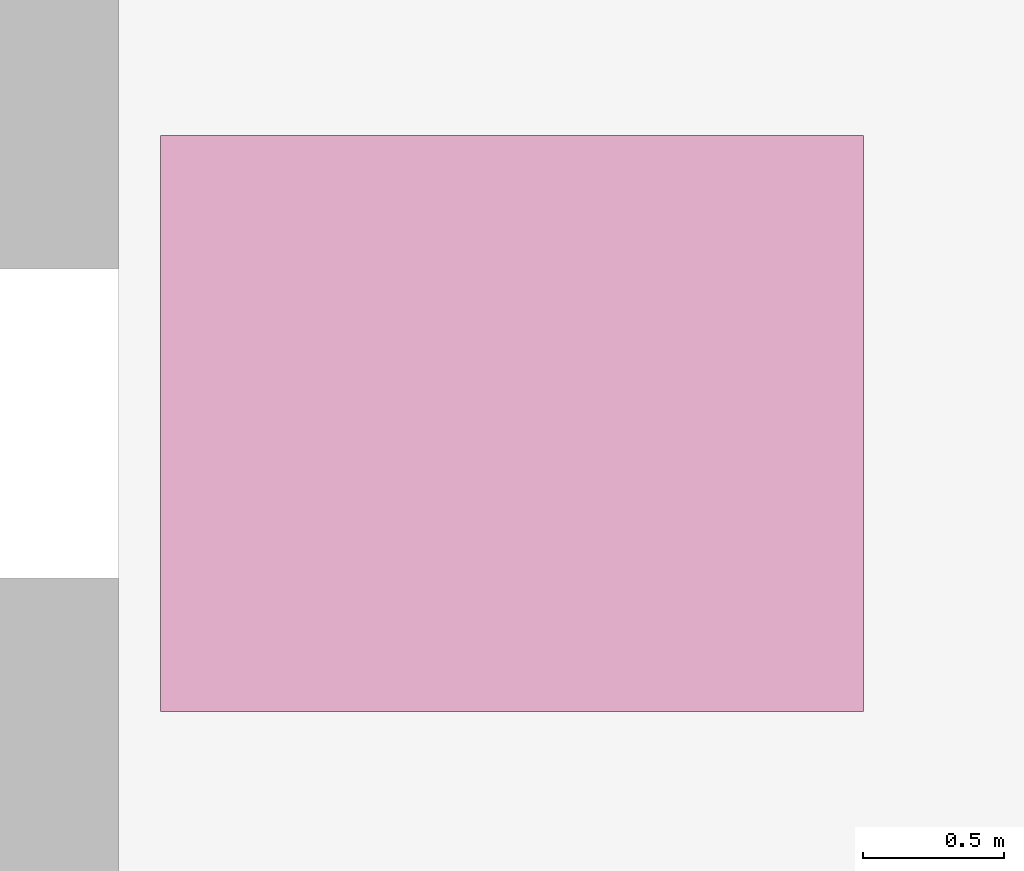
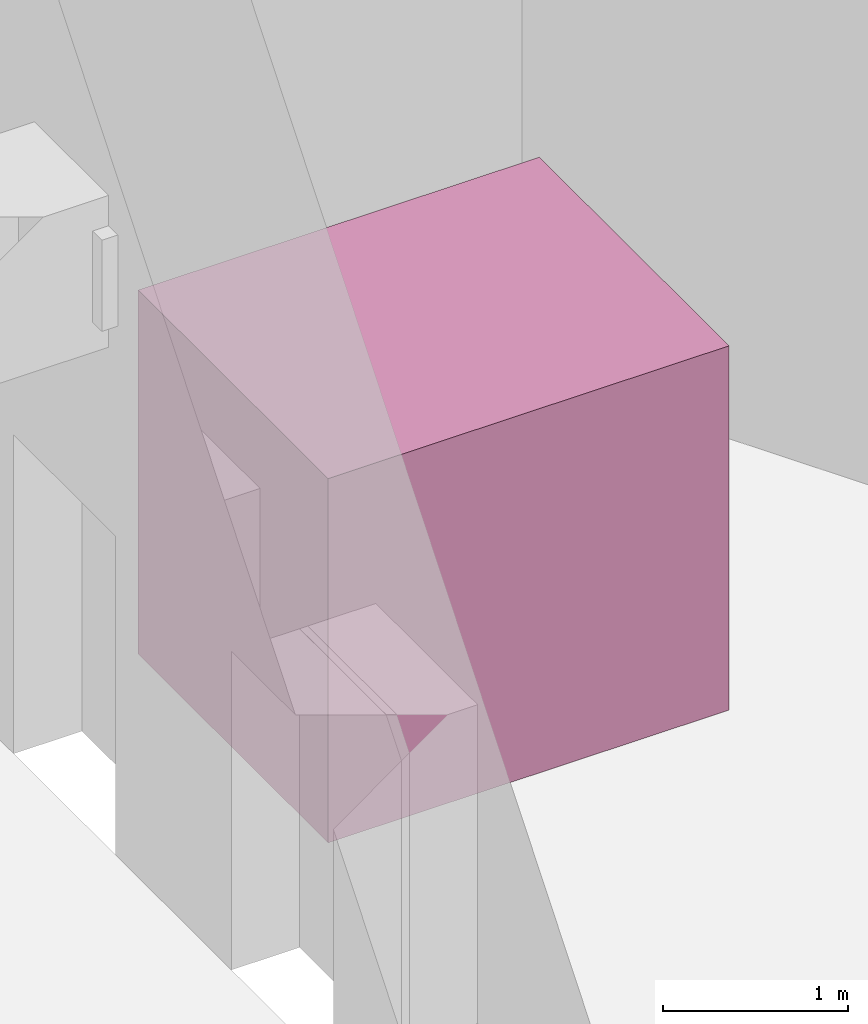
# One storey, part 12 of 12: 1 transport element.
"""IFC4 building model written with IfcOpenShell, lengths in metres."""

from ifc_helpers import new_model, si_unit, direction, frame, origin, origin_2d, place, context, subcontext, project, spatial, rectangle, extrude, material, type_object, element, save


model = new_model("IFC4")

# Units and contexts
model_context = context("Model", 3, precision=1e-05, world=origin(), true_north=direction((0.0, 1.0)))
body_context = subcontext(model_context, "Body", "Model", "MODEL_VIEW")
ifc_project = project(units=[si_unit("LENGTHUNIT", "METRE"), si_unit("AREAUNIT", "SQUARE_METRE"), si_unit("VOLUMEUNIT", "CUBIC_METRE"), si_unit("PLANEANGLEUNIT", "RADIAN"), si_unit("MASSUNIT", "GRAM", prefix="KILO")], contexts=[model_context])

# Site, building, storey
site_placement = place(None, origin())
site = spatial("IfcSite", under=ifc_project, at=site_placement, CompositionType="ELEMENT")
building_placement = place(site_placement, origin())
building = spatial("IfcBuilding", under=site, at=building_placement, Name="Cantera Rosa Tower", CompositionType="ELEMENT")
storey_placement = place(building_placement, frame((0.0, 0.0, 37.0)))
storey = spatial("IfcBuildingStorey", under=building, at=storey_placement, Name="L06", CompositionType="ELEMENT", Elevation=37.0)

# Transport element
ifc_material = material(Name="Stainless steel", Category="steel")
transport_element_type = type_object("IfcTransportElementType", Name="LIFT PASSENGER 1600 KG", PredefinedType="ELEVATOR", material=ifc_material)
transport_element_placement = place(storey_placement, frame((6.300048828125, 5.875, 0.0), z_axis=(0.0, 0.0, 1.0), x_axis=(1.0, 0.0, 0.0)))
element("IfcTransportElement", 1, at=transport_element_placement, inside=storey, type_object=transport_element_type, Name="LIFT PC1", PredefinedType="ELEVATOR", context=body_context, shape_type="SweptSolid", body=[
    extrude(rectangle(XDim=2.5, YDim=2.050048828125, at=origin_2d()), origin(), (0.0, 0.0, 1.0), 2.39990234375),
])

save(model, "model.ifc")
